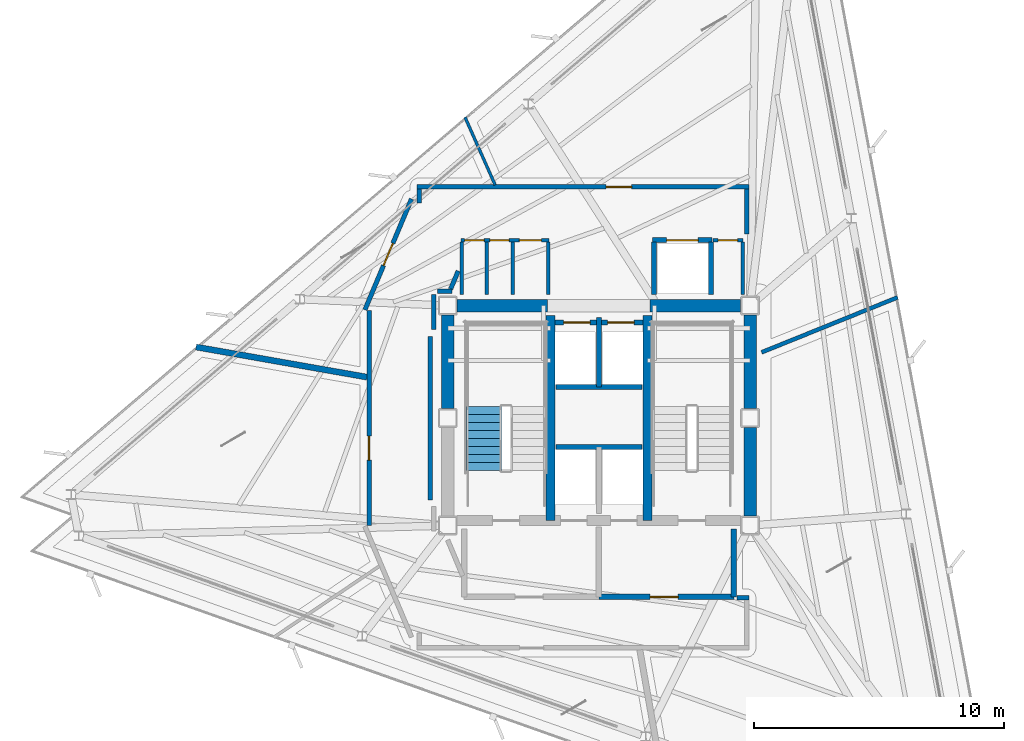
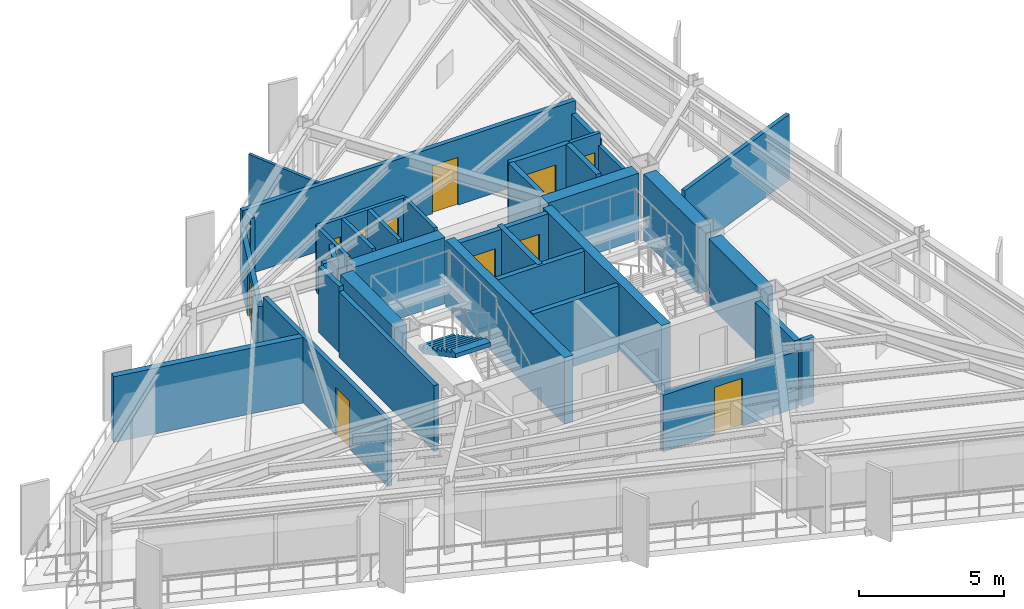
# One storey, part 9 of 14: 36 walls, 11 doors, 1 stair flight, 11 openings, 1 element without a shape of its own.
"""IFC4 building model written with IfcOpenShell, lengths in metres."""

from ifc_helpers import new_model, si_unit, direction, frame, frame_2d, origin, place, context, subcontext, project, spatial, polyline, rectangle, outline, extrude, material, layer, layer_set, type_object, element, fill, aggregate, save


model = new_model("IFC4")

# Units and contexts
model_context = context("Model", 3, precision=1e-05, world=origin(), true_north=direction((0.0, 1.0)))
body_context = subcontext(model_context, "Body", "Model", "MODEL_VIEW")
ifc_project = project(units=[si_unit("LENGTHUNIT", "METRE"), si_unit("AREAUNIT", "SQUARE_METRE"), si_unit("VOLUMEUNIT", "CUBIC_METRE"), si_unit("PLANEANGLEUNIT", "RADIAN"), si_unit("MASSUNIT", "GRAM", prefix="KILO")], contexts=[model_context])

# Site, building, storey
site_placement = place(None, origin())
site = spatial("IfcSite", under=ifc_project, at=site_placement, CompositionType="ELEMENT")
building_placement = place(site_placement, origin())
building = spatial("IfcBuilding", under=site, at=building_placement, Name="Rocaltana Carrier Exchange", CompositionType="ELEMENT")
storey_placement = place(building_placement, frame((0.0, 0.0, 184.47998046875)))
storey = spatial("IfcBuildingStorey", under=building, at=storey_placement, Name="L58", CompositionType="ELEMENT", Elevation=184.47998046875)

# Walls
ifc_material_1 = material(Name="Double Acoustic Gypsum Partition", Category="gypsum")
ifc_layer_1 = layer(ifc_material_1, 0.159912109375)
ifc_layer_set_1 = layer_set([ifc_layer_1], Name="Double Acoustic Gypsum Partition")
wall_type_1 = type_object("IfcWallType", Name="Acoustic Studio Partition 160 EI60", PredefinedType="PARTITIONING", material=ifc_layer_set_1)
wall_1_placement = place(storey_placement, frame((6.510009765625, 2.630126953125, 0.0), z_axis=(0.0, 0.0, 1.0), x_axis=(0.927189354085, 0.374592981342, 0.0)))
element("IfcWall", 1, at=wall_1_placement, inside=storey, type_object=wall_type_1, Name="L58 Suite Divider Wall D3", PredefinedType="PARTITIONING", context=body_context, shape_type="SweptSolid", body=[
    extrude(rectangle(XDim=5.87158203125, YDim=0.159912109375, at=frame_2d((2.935791015625, 0.0))), origin(), (0.0, 0.0, 1.0), 2.77294921875),
])
ifc_material_2 = material(Name="Concrete C50/60", Category="concrete")
ifc_layer_2 = layer(ifc_material_2, 0.35009765625)
ifc_layer_set_2 = layer_set([ifc_layer_2], Name="Concrete C50/60")
wall_type_2 = type_object("IfcWallType", Name="Core Internal Shear Wall 350", PredefinedType="SHEAR", material=ifc_layer_set_2)
for number, where, z_axis, x_axis, name in (
    (2, (-1.93994140625, -4.10009765625, 0.0), (0.0, 0.0, 1.0), (0.0, 1.0, 0.0), "L58 Core Shear Wall CW-STW"),
    (3, (1.93994140625, -4.10009765625, 0.0), (0.0, 0.0, 1.0), (0.0, 1.0, 0.0), "L58 Core Shear Wall CW-STE"),
):
    element("IfcWall", number, at=place(storey_placement, frame(where, z_axis=z_axis, x_axis=x_axis)), inside=storey, type_object=wall_type_2, Name=name, PredefinedType="SHEAR", context=body_context, shape_type="SweptSolid", body=[
        extrude(rectangle(XDim=8.2001953125, YDim=0.35009765625, at=frame_2d((4.10009765625, 0.0))), origin(), (0.0, 0.0, 1.0), 2.798095703125),
    ])
ifc_material_3 = material(Name="Concrete C50/60", Category="concrete")
ifc_layer_3 = layer(ifc_material_3, 0.5)
ifc_layer_set_3 = layer_set([ifc_layer_3], Name="Concrete C50/60")
wall_type_3 = type_object("IfcWallType", Name="Core Shear Wall 500", PredefinedType="SHEAR", material=ifc_layer_set_3)
for number, where, z_axis, x_axis, name in (
    (4, (-6.050048828125, 0.375, 0.0), (0.0, 0.0, 1.0), (0.0, 1.0, 0.0), "L58 Core Shear Wall CW-WN"),
    (5, (6.050048828125, 0.375, 0.0), (0.0, 0.0, 1.0), (0.0, 1.0, 0.0), "L58 Core Shear Wall CW-EN"),
):
    element("IfcWall", number, at=place(storey_placement, frame(where, z_axis=z_axis, x_axis=x_axis)), inside=storey, type_object=wall_type_3, Name=name, PredefinedType="SHEAR", context=body_context, shape_type="SweptSolid", body=[
        extrude(rectangle(XDim=3.75, YDim=0.5, at=frame_2d((1.875, 0.0))), origin(), (0.0, 0.0, 1.0), 2.798095703125),
    ])
wall_2_placement = place(storey_placement, frame((6.050048828125, -3.925048828125, 0.0), z_axis=(0.0, 0.0, 1.0), x_axis=(0.0, 1.0, 0.0)))
element("IfcWall", 6, at=wall_2_placement, inside=storey, type_object=wall_type_3, Name="L58 Core Shear Wall CW-ES", PredefinedType="SHEAR", context=body_context, shape_type="SweptSolid", body=[
    extrude(rectangle(XDim=3.550048828125, YDim=0.5, at=frame_2d((1.77490234375, 0.0))), origin(), (0.0, 0.0, 1.0), 2.798095703125),
])
for number, where, z_axis, x_axis, name in (
    (7, (-5.675048828125, 4.5, 0.0), (0.0, 0.0, 1.0), (1.0, 0.0, 0.0), "L58 Core Shear Wall CW-N1"),
    (8, (2.050048828125, 4.5, 0.0), (0.0, 0.0, 1.0), (1.0, 0.0, 0.0), "L58 Core Shear Wall CW-N2"),
):
    element("IfcWall", number, at=place(storey_placement, frame(where, z_axis=z_axis, x_axis=x_axis)), inside=storey, type_object=wall_type_3, Name=name, PredefinedType="SHEAR", context=body_context, shape_type="SweptSolid", body=[
        extrude(rectangle(XDim=3.625, YDim=0.5, at=frame_2d((1.8125, 0.0))), origin(), (0.0, 0.0, 1.0), 2.798095703125),
    ])

# Wall, opening, door
ifc_material_4 = material(Name="Gypsum & Steel Stud Partition", Category="steel")
ifc_layer_4 = layer(ifc_material_4, 0.179931640625)
ifc_layer_set_4 = layer_set([ifc_layer_4], Name="Gypsum & Steel Stud Partition")
wall_type_4 = type_object("IfcWallType", Name="Corridor Fire Partition 180 EI60", PredefinedType="PARTITIONING", material=ifc_layer_set_4)
wall_3_placement = place(storey_placement, frame((-9.199951171875, -4.303466796875, 0.0), z_axis=(0.0, 0.0, 1.0), x_axis=(0.0, 1.0, 0.0)))
wall_3 = element("IfcWall", 9, at=wall_3_placement, inside=storey, type_object=wall_type_4, Name="L58 Corridor Partition 2", PredefinedType="PARTITIONING", context=body_context, shape_type="SweptSolid", body=[
    extrude(rectangle(XDim=8.60693359375, YDim=0.179931640625, at=frame_2d((4.303466796875, 0.0))), origin(), (0.0, 0.0, 1.0), 2.77294921875),
])
opening_1_placement = place(wall_3_placement, frame((2.619384765625, 0.0, 0.0)))
opening_1 = element("IfcOpeningElement", 10, at=opening_1_placement, cuts=wall_3, Name="Opening D-RM098", PredefinedType="OPENING", context=body_context, shape_type="SweptSolid", body=[
    extrude(rectangle(XDim=0.9599609375, YDim=2.02001953125, at=frame_2d((0.47998046875, 1.010009765625))), frame((0.0, 0.099853515625, 0.0), z_axis=(0.0, -1.0, 0.0), x_axis=(1.0, 0.0, 0.0)), (0.0, 0.0, 1.0), 0.199951171875),
])
ifc_material_5 = material(Name="Engineered Hardwood Timber", Category="wood")
door_type_1 = type_object("IfcDoorType", Name="Workspace Single Door 960x2020", OperationType="NOTDEFINED", PredefinedType="DOOR", material=ifc_material_5)
door_1_placement = place(opening_1_placement, origin())
door_1 = element("IfcDoor", 11, at=door_1_placement, inside=storey, type_object=door_type_1, Name="L58 Cloud Architecture Office Entrance Door", OperationType="SINGLE_SWING_LEFT", OverallHeight=2.02001953125, OverallWidth=0.9599609375, PredefinedType="DOOR", context=body_context, shape_type="SweptSolid", body=[
    extrude(rectangle(XDim=0.9599609375, YDim=2.02001953125, at=frame_2d((0.47998046875, 1.010009765625))), frame((0.0, 0.02490234375, 0.0), z_axis=(0.0, -1.0, 0.0), x_axis=(1.0, 0.0, 0.0)), (0.0, 0.0, 1.0), 0.050048828125),
])
fill(opening_1, door_1)

wall_4_placement = place(storey_placement, frame((-9.36669921875, 4.331787109375, 0.0), z_axis=(0.0, 0.0, 1.0), x_axis=(0.387573945081, 0.921838617706, 0.0)))
wall_4 = element("IfcWall", 12, at=wall_4_placement, inside=storey, type_object=wall_type_4, Name="L58 Corridor Partition 3", PredefinedType="PARTITIONING", context=body_context, shape_type="SweptSolid", body=[
    extrude(rectangle(XDim=4.813232421875, YDim=0.179931640625, at=frame_2d((2.40673828125, 0.0))), origin(), (0.0, 0.0, 1.0), 2.39501953125),
])
opening_2_placement = place(wall_4_placement, frame((1.926513671875, 0.0, 0.0)))
opening_2 = element("IfcOpeningElement", 13, at=opening_2_placement, cuts=wall_4, Name="Opening D-RM098", PredefinedType="OPENING", context=body_context, shape_type="SweptSolid", body=[
    extrude(rectangle(XDim=0.9599609375, YDim=2.02001953125, at=frame_2d((0.47998046875, 1.010009765625))), frame((0.0, 0.099853515625, 0.0), z_axis=(0.0, -1.0, 0.0), x_axis=(1.0, 0.0, 0.0)), (0.0, 0.0, 1.0), 0.199951171875),
])
door_2_placement = place(opening_2_placement, origin())
door_2 = element("IfcDoor", 14, at=door_2_placement, inside=storey, type_object=door_type_1, Name="L58 Peering Conference Room Entrance Door", OperationType="SINGLE_SWING_LEFT", OverallHeight=2.02001953125, OverallWidth=0.9599609375, PredefinedType="DOOR", context=body_context, shape_type="SweptSolid", body=[
    extrude(rectangle(XDim=0.9599609375, YDim=2.02001953125, at=frame_2d((0.47998046875, 1.010009765625))), frame((0.0, 0.02490234375, 0.0), z_axis=(0.0, -1.0, 0.0), x_axis=(1.0, 0.0, 0.0)), (0.0, 0.0, 1.0), 0.050048828125),
])
fill(opening_2, door_2)

# Wall
wall_5_placement = place(storey_placement, frame((-7.199951171875, 8.6005859375, 0.0), z_axis=(0.0, 0.0, 1.0), x_axis=(0.0, 1.0, 0.0)))
element("IfcWall", 15, at=wall_5_placement, inside=storey, type_object=wall_type_4, Name="L58 Corridor Partition 4", PredefinedType="PARTITIONING", context=body_context, shape_type="SweptSolid", body=[
    extrude(rectangle(XDim=0.559326171875, YDim=0.179931640625, at=frame_2d((0.27978515625, 0.0))), origin(), (0.0, 0.0, 1.0), 2.77294921875),
])

# Wall, opening, door
wall_6_placement = place(storey_placement, frame((-7.2900390625, 9.25, 0.0), z_axis=(0.0, 0.0, 1.0), x_axis=(1.0, 0.0, 0.0)))
wall_6 = element("IfcWall", 16, at=wall_6_placement, inside=storey, type_object=wall_type_4, Name="L58 Corridor Partition 5", PredefinedType="PARTITIONING", context=body_context, shape_type="SweptSolid", body=[
    extrude(rectangle(XDim=13.300048828125, YDim=0.179931640625, at=frame_2d((6.64990234375, 0.0))), origin(), (0.0, 0.0, 1.0), 2.77294921875),
])
opening_3_placement = place(wall_6_placement, frame((7.577880859375, 0.0, 0.0)))
opening_3 = element("IfcOpeningElement", 17, at=opening_3_placement, cuts=wall_6, Name="Opening D-LB104", PredefinedType="OPENING", context=body_context, shape_type="SweptSolid", body=[
    extrude(rectangle(XDim=1.02001953125, YDim=2.02001953125, at=frame_2d((0.510009765625, 1.010009765625))), frame((0.0, 0.099853515625, 0.0), z_axis=(0.0, -1.0, 0.0), x_axis=(1.0, 0.0, 0.0)), (0.0, 0.0, 1.0), 0.199951171875),
])
ifc_material_6 = material(Name="Powder-Coated Aluminium 6063-T6", Category="aluminium")
door_type_2 = type_object("IfcDoorType", Name="Laboratory Acoustic Door 1020x2020", OperationType="NOTDEFINED", PredefinedType="DOOR", material=ifc_material_6)
door_3_placement = place(opening_3_placement, origin())
door_3 = element("IfcDoor", 18, at=door_3_placement, inside=storey, type_object=door_type_2, Name="L58 Optical Switching Laboratory Entrance Door", OperationType="SINGLE_SWING_RIGHT", OverallHeight=2.02001953125, OverallWidth=1.02001953125, PredefinedType="DOOR", context=body_context, shape_type="SweptSolid", body=[
    extrude(rectangle(XDim=1.02001953125, YDim=2.02001953125, at=frame_2d((0.510009765625, 1.010009765625))), frame((0.0, 0.02490234375, 0.0), z_axis=(0.0, -1.0, 0.0), x_axis=(1.0, 0.0, 0.0)), (0.0, 0.0, 1.0), 0.050048828125),
])
fill(opening_3, door_3)

# Walls
wall_7_placement = place(storey_placement, frame((5.919921875, 9.159912109375, 0.0), z_axis=(0.0, 0.0, 1.0), x_axis=(0.0, -1.0, 0.0)))
element("IfcWall", 19, at=wall_7_placement, inside=storey, type_object=wall_type_4, Name="L58 Corridor Partition 6", PredefinedType="PARTITIONING", context=body_context, shape_type="SweptSolid", body=[
    extrude(rectangle(XDim=1.7998046875, YDim=0.179931640625, at=frame_2d((0.89990234375, 0.0))), origin(), (0.0, 0.0, 1.0), 2.2529296875),
])
wall_8_placement = place(storey_placement, frame((-5.632080078125, 5.88671875, 0.0), z_axis=(0.0, 0.0, 1.0), x_axis=(-0.387792833522, -0.921746558588, 0.0)))
element("IfcWall", 20, at=wall_8_placement, inside=storey, type_object=wall_type_4, Name="L58 Corridor Partition 8", PredefinedType="PARTITIONING", context=body_context, shape_type="SweptSolid", body=[
    extrude(rectangle(XDim=0.78515625, YDim=0.179931640625, at=frame_2d((0.392578125, 0.0))), origin(), (0.0, 0.0, 1.0), 2.77294921875),
])
wall_9_placement = place(storey_placement, frame((-5.88134765625, 5.080078125, 0.0), z_axis=(0.0, 0.0, 1.0), x_axis=(-1.0, 0.0, 0.0)))
element("IfcWall", 21, at=wall_9_placement, inside=storey, type_object=wall_type_4, Name="L58 Corridor Partition 9", PredefinedType="PARTITIONING", context=body_context, shape_type="SweptSolid", body=[
    extrude(rectangle(XDim=0.588623046875, YDim=0.179931640625, at=frame_2d((0.29443359375, 0.0))), origin(), (0.0, 0.0, 1.0), 2.77294921875),
])
wall_10_placement = place(storey_placement, frame((-6.610107421875, 4.93994140625, 0.0), z_axis=(0.0, 0.0, 1.0), x_axis=(0.0, -1.0, 0.0)))
element("IfcWall", 22, at=wall_10_placement, inside=storey, type_object=wall_type_4, Name="L58 Corridor Partition 10", PredefinedType="PARTITIONING", context=body_context, shape_type="SweptSolid", body=[
    extrude(rectangle(XDim=1.398681640625, YDim=0.179931640625, at=frame_2d((0.69921875, 0.0))), origin(), (0.0, 0.0, 1.0), 2.77294921875),
])
wall_11_placement = place(storey_placement, frame((-6.75, 3.2734375, 0.0), z_axis=(0.0, 0.0, 1.0), x_axis=(0.0, -1.0, 0.0)))
element("IfcWall", 23, at=wall_11_placement, inside=storey, type_object=wall_type_4, Name="L58 Corridor Partition 11", PredefinedType="PARTITIONING", context=body_context, shape_type="SweptSolid", body=[
    extrude(rectangle(XDim=6.546875, YDim=0.179931640625, at=frame_2d((3.2734375, 0.0))), origin(), (0.0, 0.0, 1.0), 2.77294921875),
])
wall_12_placement = place(storey_placement, frame((5.530029296875, -7.199951171875, 0.0), z_axis=(0.0, 0.0, 1.0), x_axis=(1.0, 0.0, 0.0)))
element("IfcWall", 24, at=wall_12_placement, inside=storey, type_object=wall_type_4, Name="L58 Corridor Partition 14", PredefinedType="PARTITIONING", context=body_context, shape_type="SweptSolid", body=[
    extrude(rectangle(XDim=0.47998046875, YDim=0.179931640625, at=frame_2d((0.239990234375, 0.0))), origin(), (0.0, 0.0, 1.0), 2.77294921875),
])
ifc_material_7 = material(Name="Aluminium 6063-T6 & Acoustic Glass", Category="aluminium")
ifc_layer_5 = layer(ifc_material_7, 0.114990234375)
ifc_layer_set_5 = layer_set([ifc_layer_5], Name="Aluminium 6063-T6 & Acoustic Glass")
wall_type_5 = type_object("IfcWallType", Name="Demountable Glazed Lab Partition 115", PredefinedType="MOVABLE", material=ifc_layer_set_5)
wall_13_placement = place(storey_placement, frame((-4.154052734375, 9.330078125, 0.0), z_axis=(0.0, 0.0, 1.0), x_axis=(-0.406726956158, 0.913549770475, 0.0)))
element("IfcWall", 25, at=wall_13_placement, inside=storey, type_object=wall_type_5, Name="L58 Suite Divider Wall D4", PredefinedType="MOVABLE", context=body_context, shape_type="SweptSolid", body=[
    extrude(rectangle(XDim=2.96337890625, YDim=0.114990234375, at=frame_2d((1.481689453125, 0.0))), origin(), (0.0, 0.0, 1.0), 2.77294921875),
])
ifc_material_8 = material(Name="Autoclaved Aerated Concrete C30/37", Category="concrete")
ifc_layer_6 = layer(ifc_material_8, 0.219970703125)
ifc_layer_set_6 = layer_set([ifc_layer_6], Name="Autoclaved Aerated Concrete C30/37")
wall_type_6 = type_object("IfcWallType", Name="Firefighting Lobby Wall 220 EI120", PredefinedType="PARTITIONING", material=ifc_layer_set_6)
wall_14_placement = place(storey_placement, frame((5.39990234375, -7.159912109375, 0.0), z_axis=(0.0, 0.0, 1.0), x_axis=(0.0, 1.0, 0.0)))
element("IfcWall", 26, at=wall_14_placement, inside=storey, type_object=wall_type_6, Name="L58 FFL Lobby 2 East Wall", PredefinedType="PARTITIONING", context=body_context, shape_type="SweptSolid", body=[
    extrude(rectangle(XDim=2.7099609375, YDim=0.219970703125, at=frame_2d((1.35498046875, 0.0))), origin(), (0.0, 0.0, 1.0), 2.77294921875),
])

# Wall, opening, door
wall_15_placement = place(storey_placement, frame((0.0, -7.159912109375, 0.0), z_axis=(0.0, 0.0, 1.0), x_axis=(1.0, 0.0, 0.0)))
wall_15 = element("IfcWall", 27, at=wall_15_placement, inside=storey, type_object=wall_type_6, Name="L58 FFL Lobby 2 South Wall", PredefinedType="PARTITIONING", context=body_context, shape_type="SweptSolid", body=[
    extrude(rectangle(XDim=5.39990234375, YDim=0.219970703125, at=frame_2d((2.699951171875, 0.0))), origin(), (0.0, 0.0, 1.0), 2.39501953125),
])
opening_4_placement = place(wall_15_placement, frame((2.050048828125, 0.0, 0.0)))
opening_4 = element("IfcOpeningElement", 28, at=opening_4_placement, cuts=wall_15, Name="Opening D-FF115", PredefinedType="OPENING", context=body_context, shape_type="SweptSolid", body=[
    extrude(rectangle(XDim=1.1201171875, YDim=2.02001953125, at=frame_2d((0.56005859375, 1.010009765625))), frame((0.0, 0.119873046875, 0.0), z_axis=(0.0, -1.0, 0.0), x_axis=(1.0, 0.0, 0.0)), (0.0, 0.0, 1.0), 0.239990234375),
])
ifc_material_9 = material(Name="Hollow Metal Fire Door Assembly", Category="steel")
door_type_3 = type_object("IfcDoorType", Name="Firefighting Lobby Door 1120x2020 FD60S", OperationType="NOTDEFINED", PredefinedType="DOOR", material=ifc_material_9)
door_4_placement = place(opening_4_placement, origin())
door_4 = element("IfcDoor", 29, at=door_4_placement, inside=storey, type_object=door_type_3, Name="L58 Firefighting Lift Lobby 2 Door", OperationType="SINGLE_SWING_RIGHT", OverallHeight=2.02001953125, OverallWidth=1.1201171875, PredefinedType="DOOR", context=body_context, shape_type="SweptSolid", body=[
    extrude(rectangle(XDim=1.1201171875, YDim=2.02001953125, at=frame_2d((0.56005859375, 1.010009765625))), frame((0.0, 0.02490234375, 0.0), z_axis=(0.0, -1.0, 0.0), x_axis=(1.0, 0.0, 0.0)), (0.0, 0.0, 1.0), 0.050048828125),
])
fill(opening_4, door_4)

# Walls
ifc_material_10 = material(Name="Acoustic Calcium Silicate Partition", Category="gypsum")
ifc_layer_7 = layer(ifc_material_10, 0.239990234375)
ifc_layer_set_7 = layer_set([ifc_layer_7], Name="Acoustic Calcium Silicate Partition")
wall_type_7 = type_object("IfcWallType", Name="Heavy Lab Partition 240 EI90", PredefinedType="PARTITIONING", material=ifc_layer_set_7)
wall_16_placement = place(storey_placement, frame((-9.280029296875, 1.63623046875, 0.0), z_axis=(0.0, 0.0, 1.0), x_axis=(-0.984803709336, 0.173671108934, 0.0)))
element("IfcWall", 30, at=wall_16_placement, inside=storey, type_object=wall_type_7, Name="L58 Suite Divider Wall D5", PredefinedType="PARTITIONING", context=body_context, shape_type="SweptSolid", body=[
    extrude(rectangle(XDim=6.9501953125, YDim=0.239990234375, at=frame_2d((3.47509765625, 0.0))), origin(), (0.0, 0.0, 1.0), 2.77294921875),
])
ifc_material_11 = material(Name="Reinforced Concrete Block C35/45", Category="concrete")
ifc_layer_8 = layer(ifc_material_11, 0.199951171875)
ifc_layer_set_8 = layer_set([ifc_layer_8], Name="Reinforced Concrete Block C35/45")
wall_type_8 = type_object("IfcWallType", Name="Lift Hoistway Enclosure Wall 200 EI120", PredefinedType="PARTITIONING", material=ifc_layer_set_8)
wall_17_placement = place(storey_placement, frame((-1.719970703125, -1.14990234375, 0.0), z_axis=(0.0, 0.0, 1.0), x_axis=(1.0, 0.0, 0.0)))
element("IfcWall", 31, at=wall_17_placement, inside=storey, type_object=wall_type_8, Name="L58 FFL Shaft Back Wall", PredefinedType="PARTITIONING", context=body_context, shape_type="SweptSolid", body=[
    extrude(rectangle(XDim=3.43994140625, YDim=0.199951171875, at=frame_2d((1.719970703125, 0.0))), origin(), (0.0, 0.0, 1.0), 2.77294921875),
])
wall_18_placement = place(storey_placement, frame((0.0, 1.25, 0.0), z_axis=(0.0, 0.0, 1.0), x_axis=(0.0, 1.0, 0.0)))
element("IfcWall", 32, at=wall_18_placement, inside=storey, type_object=wall_type_8, Name="L58 High-Rise Shaft Divider", PredefinedType="PARTITIONING", context=body_context, shape_type="SweptSolid", body=[
    extrude(rectangle(XDim=2.77001953125, YDim=0.199951171875, at=frame_2d((1.385009765625, 0.0))), origin(), (0.0, 0.0, 1.0), 2.77294921875),
])
wall_19_placement = place(storey_placement, frame((-1.719970703125, 1.25, 0.0), z_axis=(0.0, 0.0, 1.0), x_axis=(1.0, 0.0, 0.0)))
element("IfcWall", 33, at=wall_19_placement, inside=storey, type_object=wall_type_8, Name="L58 High-Rise Shaft Back Wall", PredefinedType="PARTITIONING", context=body_context, shape_type="SweptSolid", body=[
    extrude(rectangle(XDim=3.43994140625, YDim=0.199951171875, at=frame_2d((1.719970703125, 0.0))), origin(), (0.0, 0.0, 1.0), 2.77294921875),
])

# Wall, openings, doors
wall_20_placement = place(storey_placement, frame((-1.760009765625, 3.820068359375, 0.0), z_axis=(0.0, 0.0, 1.0), x_axis=(1.0, 0.0, 0.0)))
wall_20 = element("IfcWall", 34, at=wall_20_placement, inside=storey, type_object=wall_type_8, Name="L58 High-Rise Lift Front Wall", PredefinedType="PARTITIONING", context=body_context, shape_type="SweptSolid", body=[
    extrude(rectangle(XDim=3.52001953125, YDim=0.199951171875, at=frame_2d((1.760009765625, 0.0))), origin(), (0.0, 0.0, 1.0), 2.77294921875),
])
opening_5_placement = place(wall_20_placement, frame((0.35009765625, 0.0, 0.0)))
opening_5 = element("IfcOpeningElement", 35, at=opening_5_placement, cuts=wall_20, Name="Opening LD-110", PredefinedType="OPENING", context=body_context, shape_type="SweptSolid", body=[
    extrude(rectangle(XDim=1.06005859375, YDim=2.0400390625, at=frame_2d((0.530029296875, 1.02001953125))), frame((0.0, 0.10986328125, 0.0), z_axis=(0.0, -1.0, 0.0), x_axis=(1.0, 0.0, 0.0)), (0.0, 0.0, 1.0), 0.219970703125),
])
opening_6_placement = place(wall_20_placement, frame((2.110107421875, 0.0, 0.0)))
opening_6 = element("IfcOpeningElement", 36, at=opening_6_placement, cuts=wall_20, Name="Opening LD-110", PredefinedType="OPENING", context=body_context, shape_type="SweptSolid", body=[
    extrude(rectangle(XDim=1.06005859375, YDim=2.0400390625, at=frame_2d((0.530029296875, 1.02001953125))), frame((0.0, 0.10986328125, 0.0), z_axis=(0.0, -1.0, 0.0), x_axis=(1.0, 0.0, 0.0)), (0.0, 0.0, 1.0), 0.219970703125),
])
ifc_material_12 = material(Name="Brushed Stainless Sliding Door Leaf", Category="steel")
door_type_4 = type_object("IfcDoorType", Name="Lift Landing Sliding Door 1060x2040", OperationType="NOTDEFINED", PredefinedType="DOOR", material=ifc_material_12)
door_5_placement = place(opening_5_placement, origin())
door_5 = element("IfcDoor", 37, at=door_5_placement, inside=storey, type_object=door_type_4, Name="L58 High-Rise Lift PLH1 Landing Door", OperationType="SLIDING_TO_LEFT", OverallHeight=2.0400390625, OverallWidth=1.06005859375, PredefinedType="DOOR", context=body_context, shape_type="SweptSolid", body=[
    extrude(rectangle(XDim=1.06005859375, YDim=2.0400390625, at=frame_2d((0.530029296875, 1.02001953125))), frame((0.0, 0.02490234375, 0.0), z_axis=(0.0, -1.0, 0.0), x_axis=(1.0, 0.0, 0.0)), (0.0, 0.0, 1.0), 0.050048828125),
])
fill(opening_5, door_5)
door_6_placement = place(opening_6_placement, origin())
door_6 = element("IfcDoor", 38, at=door_6_placement, inside=storey, type_object=door_type_4, Name="L58 High-Rise Lift PLH2 Landing Door", OperationType="SLIDING_TO_RIGHT", OverallHeight=2.0400390625, OverallWidth=1.06005859375, PredefinedType="DOOR", context=body_context, shape_type="SweptSolid", body=[
    extrude(rectangle(XDim=1.06005859375, YDim=2.0400390625, at=frame_2d((0.530029296875, 1.02001953125))), frame((0.0, 0.02490234375, 0.0), z_axis=(0.0, -1.0, 0.0), x_axis=(1.0, 0.0, 0.0)), (0.0, 0.0, 1.0), 0.050048828125),
])
fill(opening_6, door_6)

# Walls
for number, where, z_axis, x_axis, name in (
    (39, (2.199951171875, 4.949951171875, 0.0), (0.0, 0.0, 1.0), (0.0, 1.0, 0.0), "L58 Goods Lift West Wall"),
    (40, (4.47998046875, 4.949951171875, 0.0), (0.0, 0.0, 1.0), (0.0, 1.0, 0.0), "L58 Goods Lift East Wall"),
):
    element("IfcWall", number, at=place(storey_placement, frame(where, z_axis=z_axis, x_axis=x_axis)), inside=storey, type_object=wall_type_8, Name=name, PredefinedType="PARTITIONING", context=body_context, shape_type="SweptSolid", body=[
        extrude(rectangle(XDim=2.10009765625, YDim=0.199951171875, at=frame_2d((1.050048828125, 0.0))), origin(), (0.0, 0.0, 1.0), 2.77294921875),
    ])

# Wall, opening, door
wall_21_placement = place(storey_placement, frame((2.14990234375, 7.1201171875, 0.0), z_axis=(0.0, 0.0, 1.0), x_axis=(1.0, 0.0, 0.0)))
wall_21 = element("IfcWall", 41, at=wall_21_placement, inside=storey, type_object=wall_type_8, Name="L58 Goods Lift Front Wall", PredefinedType="PARTITIONING", context=body_context, shape_type="SweptSolid", body=[
    extrude(rectangle(XDim=2.380126953125, YDim=0.199951171875, at=frame_2d((1.18994140625, 0.0))), origin(), (0.0, 0.0, 1.0), 2.77294921875),
])
opening_7_placement = place(wall_21_placement, frame((0.56005859375, 0.0, 0.0)))
opening_7 = element("IfcOpeningElement", 42, at=opening_7_placement, cuts=wall_21, Name="Opening LD-130", PredefinedType="OPENING", context=body_context, shape_type="SweptSolid", body=[
    extrude(rectangle(XDim=1.260009765625, YDim=2.06005859375, at=frame_2d((0.6298828125, 1.030029296875))), frame((0.0, 0.10986328125, 0.0), z_axis=(0.0, -1.0, 0.0), x_axis=(1.0, 0.0, 0.0)), (0.0, 0.0, 1.0), 0.219970703125),
])
ifc_material_13 = material(Name="Brushed Stainless Sliding Door Leaf", Category="steel")
door_type_5 = type_object("IfcDoorType", Name="Goods Lift Landing Sliding Door 1260x2060", OperationType="NOTDEFINED", PredefinedType="DOOR", material=ifc_material_13)
door_7_placement = place(opening_7_placement, origin())
door_7 = element("IfcDoor", 43, at=door_7_placement, inside=storey, type_object=door_type_5, Name="L58 Goods Lift GL-1 Landing Door", OperationType="SLIDING_TO_LEFT", OverallHeight=2.06005859375, OverallWidth=1.260009765625, PredefinedType="DOOR", context=body_context, shape_type="SweptSolid", body=[
    extrude(rectangle(XDim=1.260009765625, YDim=2.06005859375, at=frame_2d((0.6298828125, 1.030029296875))), frame((0.0, 0.02490234375, 0.0), z_axis=(0.0, -1.0, 0.0), x_axis=(1.0, 0.0, 0.0)), (0.0, 0.0, 1.0), 0.050048828125),
])
fill(opening_7, door_7)

# Walls
ifc_material_14 = material(Name="Moisture-Resistant Masonry C30/37", Category="masonry")
ifc_layer_9 = layer(ifc_material_14, 0.139892578125)
ifc_layer_set_9 = layer_set([ifc_layer_9], Name="Moisture-Resistant Masonry C30/37")
wall_type_9 = type_object("IfcWallType", Name="Wet-Area Sanitary Partition 140", PredefinedType="PARTITIONING", material=ifc_layer_set_9)
for number, where, z_axis, x_axis, name in (
    (44, (-5.5, 4.949951171875, 0.0), (0.0, 0.0, 1.0), (0.0, 1.0, 0.0), "L58 Sanitary West Wall"),
    (45, (-4.5, 4.949951171875, 0.0), (0.0, 0.0, 1.0), (0.0, 1.0, 0.0), "L58 Sanitary Divider 1"),
    (46, (-3.449951171875, 4.949951171875, 0.0), (0.0, 0.0, 1.0), (0.0, 1.0, 0.0), "L58 Sanitary Divider 2"),
    (47, (-2.02001953125, 4.949951171875, 0.0), (0.0, 0.0, 1.0), (0.0, 1.0, 0.0), "L58 Sanitary East Wall"),
):
    element("IfcWall", number, at=place(storey_placement, frame(where, z_axis=z_axis, x_axis=x_axis)), inside=storey, type_object=wall_type_9, Name=name, PredefinedType="PARTITIONING", context=body_context, shape_type="SweptSolid", body=[
        extrude(rectangle(XDim=2.10009765625, YDim=0.139892578125, at=frame_2d((1.050048828125, 0.0))), origin(), (0.0, 0.0, 1.0), 2.77294921875),
    ])

# Wall, openings, doors
wall_22_placement = place(storey_placement, frame((-5.52001953125, 7.1201171875, 0.0), z_axis=(0.0, 0.0, 1.0), x_axis=(1.0, 0.0, 0.0)))
wall_22 = element("IfcWall", 48, at=wall_22_placement, inside=storey, type_object=wall_type_9, Name="L58 Sanitary North Wall", PredefinedType="PARTITIONING", context=body_context, shape_type="SweptSolid", body=[
    extrude(rectangle(XDim=3.52001953125, YDim=0.139892578125, at=frame_2d((1.760009765625, 0.0))), origin(), (0.0, 0.0, 1.0), 2.77294921875),
])
opening_8_placement = place(wall_22_placement, frame((0.139892578125, 0.0, 0.0)))
opening_8 = element("IfcOpeningElement", 49, at=opening_8_placement, cuts=wall_22, Name="Opening D-RS082", PredefinedType="OPENING", context=body_context, shape_type="SweptSolid", body=[
    extrude(rectangle(XDim=0.780029296875, YDim=2.010009765625, at=frame_2d((0.39013671875, 1.0048828125))), frame((0.0, 0.079833984375, 0.0), z_axis=(0.0, -1.0, 0.0), x_axis=(1.0, 0.0, 0.0)), (0.0, 0.0, 1.0), 0.159912109375),
])
opening_9_placement = place(wall_22_placement, frame((1.14990234375, 0.0, 0.0)))
opening_9 = element("IfcOpeningElement", 50, at=opening_9_placement, cuts=wall_22, Name="Opening D-RS082", PredefinedType="OPENING", context=body_context, shape_type="SweptSolid", body=[
    extrude(rectangle(XDim=0.780029296875, YDim=2.010009765625, at=frame_2d((0.39013671875, 1.0048828125))), frame((0.0, 0.079833984375, 0.0), z_axis=(0.0, -1.0, 0.0), x_axis=(1.0, 0.0, 0.0)), (0.0, 0.0, 1.0), 0.159912109375),
])
opening_10_placement = place(wall_22_placement, frame((2.340087890625, 0.0, 0.0)))
opening_10 = element("IfcOpeningElement", 51, at=opening_10_placement, cuts=wall_22, Name="Opening D-WC090", PredefinedType="OPENING", context=body_context, shape_type="SweptSolid", body=[
    extrude(rectangle(XDim=0.8798828125, YDim=2.02001953125, at=frame_2d((0.43994140625, 1.010009765625))), frame((0.0, 0.079833984375, 0.0), z_axis=(0.0, -1.0, 0.0), x_axis=(1.0, 0.0, 0.0)), (0.0, 0.0, 1.0), 0.159912109375),
])
ifc_material_15 = material(Name="High-Pressure Laminate Timber", Category="wood")
door_type_6 = type_object("IfcDoorType", Name="Restroom & Accessible WC Door 880x2020", OperationType="NOTDEFINED", PredefinedType="DOOR", material=ifc_material_15)
door_8_placement = place(opening_10_placement, origin())
door_8 = element("IfcDoor", 52, at=door_8_placement, inside=storey, type_object=door_type_6, Name="L58 Accessible Toilet Door", OperationType="SINGLE_SWING_LEFT", OverallHeight=2.02001953125, OverallWidth=0.8798828125, PredefinedType="DOOR", context=body_context, shape_type="SweptSolid", body=[
    extrude(rectangle(XDim=0.8798828125, YDim=2.02001953125, at=frame_2d((0.43994140625, 1.010009765625))), frame((0.0, 0.02490234375, 0.0), z_axis=(0.0, -1.0, 0.0), x_axis=(1.0, 0.0, 0.0)), (0.0, 0.0, 1.0), 0.050048828125),
])
fill(opening_10, door_8)
ifc_material_16 = material(Name="Hollow Metal Access Door Leaf", Category="steel")
door_type_7 = type_object("IfcDoorType", Name="Riser & Service Closet Door 780x2010", OperationType="NOTDEFINED", PredefinedType="DOOR", material=ifc_material_16)
door_9_placement = place(opening_8_placement, origin())
door_9 = element("IfcDoor", 53, at=door_9_placement, inside=storey, type_object=door_type_7, Name="L58 Cleaner Store Door", OperationType="SINGLE_SWING_LEFT", OverallHeight=2.010009765625, OverallWidth=0.780029296875, PredefinedType="DOOR", context=body_context, shape_type="SweptSolid", body=[
    extrude(rectangle(XDim=0.780029296875, YDim=2.010009765625, at=frame_2d((0.39013671875, 1.0048828125))), frame((0.0, 0.02490234375, 0.0), z_axis=(0.0, -1.0, 0.0), x_axis=(1.0, 0.0, 0.0)), (0.0, 0.0, 1.0), 0.050048828125),
])
fill(opening_8, door_9)
door_10_placement = place(opening_9_placement, origin())
door_10 = element("IfcDoor", 54, at=door_10_placement, inside=storey, type_object=door_type_7, Name="L58 Staff Restroom Door", OperationType="SINGLE_SWING_RIGHT", OverallHeight=2.010009765625, OverallWidth=0.780029296875, PredefinedType="DOOR", context=body_context, shape_type="SweptSolid", body=[
    extrude(rectangle(XDim=0.780029296875, YDim=2.010009765625, at=frame_2d((0.39013671875, 1.0048828125))), frame((0.0, 0.02490234375, 0.0), z_axis=(0.0, -1.0, 0.0), x_axis=(1.0, 0.0, 0.0)), (0.0, 0.0, 1.0), 0.050048828125),
])
fill(opening_9, door_10)

# Wall
wall_23_placement = place(storey_placement, frame((5.760009765625, 4.949951171875, 0.0), z_axis=(0.0, 0.0, 1.0), x_axis=(0.0, 1.0, 0.0)))
element("IfcWall", 55, at=wall_23_placement, inside=storey, type_object=wall_type_9, Name="L58 Riser East Wall", PredefinedType="PARTITIONING", context=body_context, shape_type="SweptSolid", body=[
    extrude(rectangle(XDim=2.10009765625, YDim=0.139892578125, at=frame_2d((1.050048828125, 0.0))), origin(), (0.0, 0.0, 1.0), 2.2529296875),
])

# Wall, opening, door
wall_24_placement = place(storey_placement, frame((4.56005859375, 7.1201171875, 0.0), z_axis=(0.0, 0.0, 1.0), x_axis=(1.0, 0.0, 0.0)))
wall_24 = element("IfcWall", 56, at=wall_24_placement, inside=storey, type_object=wall_type_9, Name="L58 Riser North Wall", PredefinedType="PARTITIONING", context=body_context, shape_type="SweptSolid", body=[
    extrude(rectangle(XDim=1.199951171875, YDim=0.139892578125, at=frame_2d((0.60009765625, 0.0))), origin(), (0.0, 0.0, 1.0), 2.77294921875),
])
opening_11_placement = place(wall_24_placement, frame((0.2099609375, 0.0, 0.0)))
opening_11 = element("IfcOpeningElement", 57, at=opening_11_placement, cuts=wall_24, Name="Opening D-RS082", PredefinedType="OPENING", context=body_context, shape_type="SweptSolid", body=[
    extrude(rectangle(XDim=0.780029296875, YDim=2.010009765625, at=frame_2d((0.39013671875, 1.0048828125))), frame((0.0, 0.079833984375, 0.0), z_axis=(0.0, -1.0, 0.0), x_axis=(1.0, 0.0, 0.0)), (0.0, 0.0, 1.0), 0.159912109375),
])
door_11_placement = place(opening_11_placement, origin())
door_11 = element("IfcDoor", 58, at=door_11_placement, inside=storey, type_object=door_type_7, Name="L58 Signal Riser Closet Door", OperationType="SINGLE_SWING_RIGHT", OverallHeight=2.010009765625, OverallWidth=0.780029296875, PredefinedType="DOOR", context=body_context, shape_type="SweptSolid", body=[
    extrude(rectangle(XDim=0.780029296875, YDim=2.010009765625, at=frame_2d((0.39013671875, 1.0048828125))), frame((0.0, 0.02490234375, 0.0), z_axis=(0.0, -1.0, 0.0), x_axis=(1.0, 0.0, 0.0)), (0.0, 0.0, 1.0), 0.050048828125),
])
fill(opening_11, door_11)

# Stair, stair flight
ifc_material_17 = material(Name="Precast concrete C45/55", Category="concrete")
stair_type = type_object("IfcStairType", Name="Standard Dog-Leg Stair 160", PredefinedType="HALF_TURN_STAIR", material=ifc_material_17)
stair_placement = place(storey_placement, origin())
stair = element("IfcStair", 59, at=stair_placement, inside=storey, type_object=stair_type, Name="L58 Core West Exit Stair ST-1", PredefinedType="HALF_TURN_STAIR")
ifc_material_18 = material(Name="Precast concrete C45/55", Category="concrete")
stair_flight_type = type_object("IfcStairFlightType", Name="Precast Stair Flight 160", PredefinedType="STRAIGHT", material=ifc_material_18)
stair_flight_placement = place(storey_placement, frame((-4.60009765625, 0.4599609375, 1.52001953125), z_axis=(0.0, 0.0, 1.0), x_axis=(0.0, -1.0, 0.0)))
stair_flight = element("IfcStairFlight", 60, at=stair_flight_placement, type_object=stair_flight_type, Name="ST-1 flight 2", NumberOfRisers=9, NumberOfTreads=8, PredefinedType="STRAIGHT", RiserHeight=0.168888889, TreadLength=0.32, context=body_context, shape_type="SweptSolid", body=[
    extrude(outline(polyline([(0.0, 0.0), (0.0, 0.1689453125), (0.320068359375, 0.1689453125), (0.320068359375, 0.337890625), (0.639892578125, 0.337890625), (0.639892578125, 0.506591796875), (0.9599609375, 0.506591796875), (0.9599609375, 0.675537109375), (1.280029296875, 0.675537109375), (1.280029296875, 0.844482421875), (1.60009765625, 0.844482421875), (1.60009765625, 1.013427734375), (1.919921875, 1.013427734375), (1.919921875, 1.18212890625), (2.239990234375, 1.18212890625), (2.239990234375, 1.35107421875), (2.56005859375, 1.35107421875), (2.56005859375, 1.52001953125), (2.56005859375, 1.17041015625), (0.342529296875, 0.0), (0.0, 0.0)])), frame((0.0, 0.699951171875, 0.0), z_axis=(0.0, -1.0, 0.0), x_axis=(1.0, 0.0, 0.0)), (0.0, 0.0, 1.0), 1.39990234375),
])
aggregate(stair, [stair_flight])

save(model, "model.ifc")
